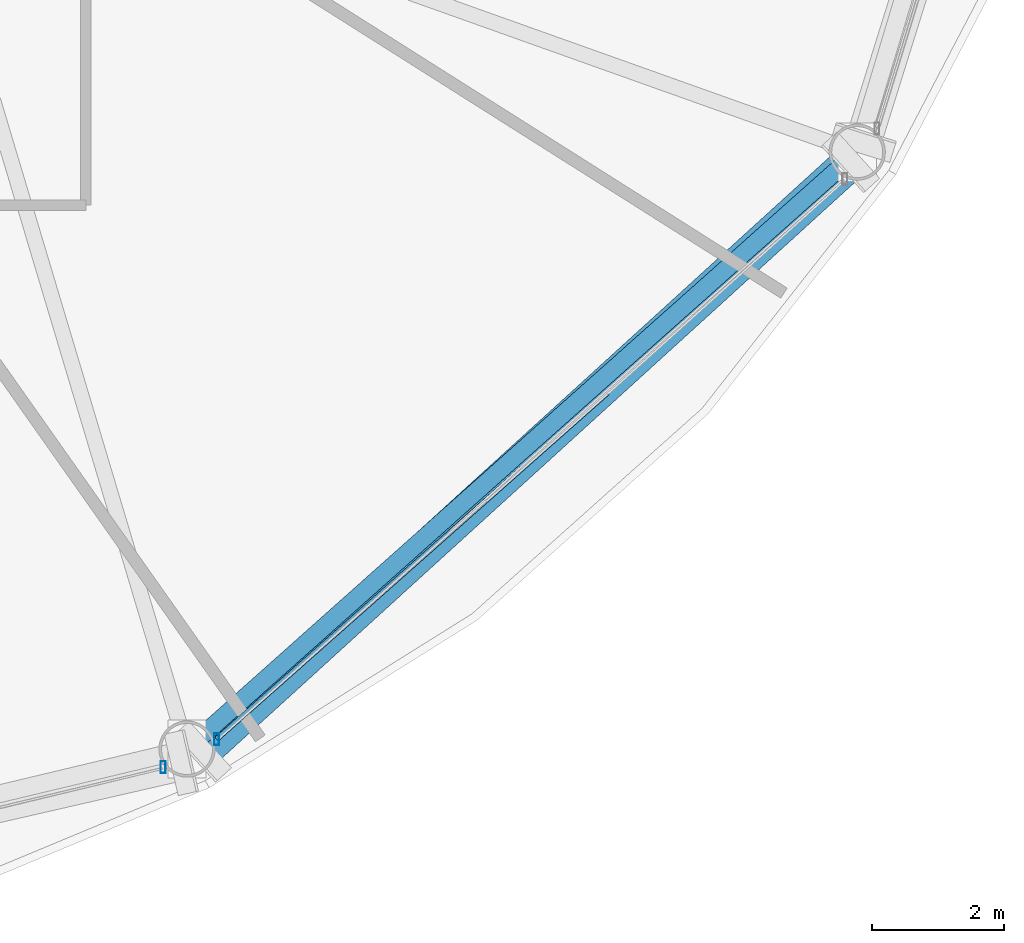
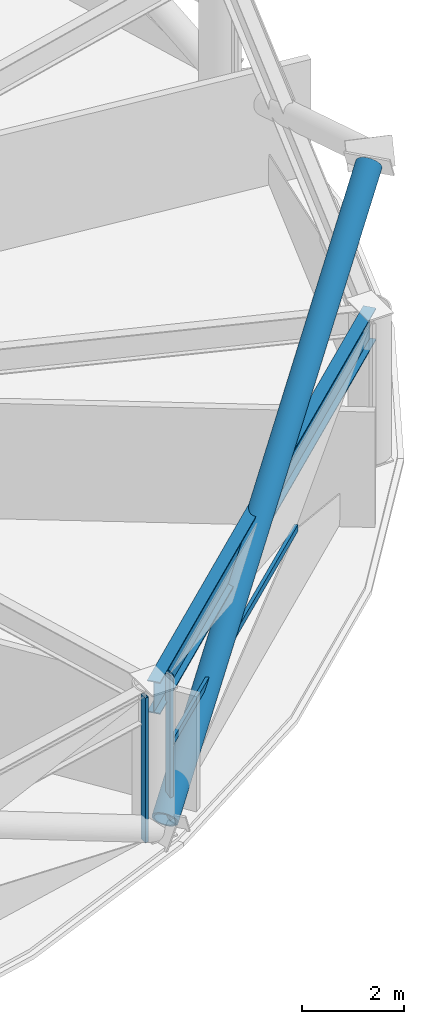
# One storey, part 8 of 33: 4 members, 1 beam, 2 elements without a shape of their own.
"""IFC4 building model written with IfcOpenShell, lengths in metres."""

from ifc_helpers import new_model, si_unit, direction, frame, origin, origin_2d, place, context, subcontext, project, spatial, hollow_rectangle, hollow_circle, i_section, extrude, material, layer, layer_set, material_profile, profile_set, type_object, element, aggregate, save


model = new_model("IFC4")

# Units and contexts
model_context = context("Model", 3, precision=1e-05, world=origin(), true_north=direction((0.0, 1.0)))
body_context = subcontext(model_context, "Body", "Model", "MODEL_VIEW")
ifc_project = project(units=[si_unit("LENGTHUNIT", "METRE"), si_unit("AREAUNIT", "SQUARE_METRE"), si_unit("VOLUMEUNIT", "CUBIC_METRE"), si_unit("PLANEANGLEUNIT", "RADIAN"), si_unit("MASSUNIT", "GRAM", prefix="KILO")], contexts=[model_context])

# Site, building, storey
site_placement = place(None, origin())
site = spatial("IfcSite", under=ifc_project, at=site_placement, CompositionType="ELEMENT")
building_placement = place(site_placement, origin())
building = spatial("IfcBuilding", under=site, at=building_placement, Name="Vantalir Tower", CompositionType="ELEMENT")
storey_placement = place(building_placement, frame((0.0, 0.0, 72.0)))
storey = spatial("IfcBuildingStorey", under=building, at=storey_placement, Name="L17", CompositionType="ELEMENT", Elevation=72.0)

# Beam
ifc_material_1 = material(Name="Steel S460", Category="steel")
ifc_material_profile_1 = material_profile(ifc_material_1, i_section(OverallWidth=0.26806640625, OverallDepth=0.77001953125, WebThickness=0.015625, FlangeThickness=0.025390625, at=origin_2d()), Name="Steel S460")
ifc_profile_set_1 = profile_set([ifc_material_profile_1], Name="Steel S460")
beam_type = type_object("IfcBeamType", Name="BM-RG-762x267", PredefinedType="USERDEFINED", material=ifc_profile_set_1)
beam_placement = place(storey_placement, frame((45.324951171875, 3.6708984375, 3.18505859375), z_axis=(0.746762968032, 0.66509027175, 0.0), x_axis=(-0.66509027175, 0.746762968032, 0.0)))
element("IfcBeam", 1, at=beam_placement, inside=storey, type_object=beam_type, Name="L17 Circumferential Ring Girder 11", ObjectType="GIRDER", PredefinedType="USERDEFINED", context=body_context, shape_type="SweptSolid", body=[
    extrude(i_section(OverallWidth=0.26806640625, OverallDepth=0.77001953125, WebThickness=0.015625, FlangeThickness=0.025390625, at=origin_2d()), origin(), (0.0, 0.0, 1.0), 13.55322265625),
])

# Curtain wall, member
ifc_material_2 = material(Name="Champagne-silver PVDF aluminium and double-silver Low-E glass", Category="aluminium")
ifc_layer = layer(ifc_material_2, 0.18994140625)
ifc_layer_set = layer_set([ifc_layer], Name="Champagne-silver PVDF aluminium and double-silver Low-E glass")
curtain_wall_type = type_object("IfcCurtainWallType", Name="CW-DIAMOND-Z1", PredefinedType="USERDEFINED", material=ifc_layer_set)
curtain_wall_1_placement = place(storey_placement, origin())
curtain_wall_1 = element("IfcCurtainWall", 2, at=curtain_wall_1_placement, inside=storey, type_object=curtain_wall_type, Name="L17 Quilted Pyramid-Diamond Curtain Wall S10", ObjectType="UNITISED CURTAIN WALL", PredefinedType="USERDEFINED")
ifc_material_3 = material(Name="Champagne-silver PVDF aluminium 6063-T6", Category="aluminium")
ifc_material_profile_2 = material_profile(ifc_material_3, hollow_rectangle(XDim=0.074951171875, YDim=0.179931640625, WallThickness=0.00390625, at=origin_2d()), Name="Champagne-silver PVDF aluminium 6063-T6")
ifc_profile_set_2 = profile_set([ifc_material_profile_2], Name="Champagne-silver PVDF aluminium 6063-T6")
member_type_1 = type_object("IfcMemberType", Name="CWM-180x75", PredefinedType="MULLION", material=ifc_profile_set_2)
member_1_placement = place(storey_placement, frame((44.962890625, 3.39697265625, 0.044921875), z_axis=(0.0, 0.0, 1.0), x_axis=(1.0, 0.0, 0.0)))
member_1 = element("IfcMember", 3, at=member_1_placement, type_object=member_type_1, Name="CW-L17-S10 Mullion 2", PredefinedType="MULLION", context=body_context, shape_type="SweptSolid", body=[
    extrude(hollow_rectangle(XDim=0.074951171875, YDim=0.179931640625, WallThickness=0.00390625, at=origin_2d()), origin(), (0.0, 0.0, 1.0), 3.47998046875),
])
aggregate(curtain_wall_1, [member_1])

# Curtain wall, members
curtain_wall_2_placement = place(storey_placement, origin())
curtain_wall_2 = element("IfcCurtainWall", 4, at=curtain_wall_2_placement, inside=storey, type_object=curtain_wall_type, Name="L17 Quilted Pyramid-Diamond Curtain Wall S11", ObjectType="UNITISED CURTAIN WALL", PredefinedType="USERDEFINED")
member_2_placement = place(storey_placement, frame((45.77099609375, 3.819091796875, 0.044921875), z_axis=(0.0, 0.0, 1.0), x_axis=(1.0, 0.0, 0.0)))
member_2 = element("IfcMember", 5, at=member_2_placement, type_object=member_type_1, Name="CW-L17-S11 Mullion 1", PredefinedType="MULLION", context=body_context, shape_type="SweptSolid", body=[
    extrude(hollow_rectangle(XDim=0.074951171875, YDim=0.179931640625, WallThickness=0.00390625, at=origin_2d()), origin(), (0.0, 0.0, 1.0), 3.47998046875),
])
ifc_material_profile_3 = material_profile(ifc_material_3, hollow_rectangle(XDim=0.074951171875, YDim=0.159912109375, WallThickness=0.00390625, at=origin_2d()), Name="Champagne-silver PVDF aluminium 6063-T6")
ifc_profile_set_3 = profile_set([ifc_material_profile_3], Name="Champagne-silver PVDF aluminium 6063-T6")
member_type_2 = type_object("IfcMemberType", Name="CWT-160x75", PredefinedType="USERDEFINED", material=ifc_profile_set_3)
member_3_placement = place(storey_placement, frame((45.77099609375, 3.819091796875, 1.784912109375), z_axis=(0.748443694307, 0.663198338698, 0.0), x_axis=(-0.663198338698, 0.748443694307, 0.0)))
member_3 = element("IfcMember", 6, at=member_3_placement, type_object=member_type_2, Name="CW-L17-S11 Pyramid Fold Ridge Transom", ObjectType="TRANSOM", PredefinedType="USERDEFINED", context=body_context, shape_type="SweptSolid", body=[
    extrude(hollow_rectangle(XDim=0.074951171875, YDim=0.159912109375, WallThickness=0.00390625, at=origin_2d()), origin(), (0.0, 0.0, 1.0), 7.884521484375),
])
aggregate(curtain_wall_2, [member_2, member_3])

# Member
ifc_material_profile_4 = material_profile(ifc_material_1, hollow_circle(Radius=0.27001953125, WallThickness=0.044921875, at=origin_2d()), Name="Steel S460")
ifc_profile_set_4 = profile_set([ifc_material_profile_4], Name="Steel S460")
member_type_3 = type_object("IfcMemberType", Name="MEM-DB-540x45", PredefinedType="BRACE", material=ifc_profile_set_4)
member_4_placement = place(storey_placement, frame((45.56396484375, 3.636962890625, 0.181884765625), z_axis=(0.65453971302, 0.59539140587, 0.465925785824), x_axis=(-0.672892618787, 0.739740173022, 0.0)))
element("IfcMember", 7, at=member_4_placement, inside=storey, type_object=member_type_3, Name="L17 Perimeter S460 Diagrid Brace R31L", PredefinedType="BRACE", context=body_context, shape_type="SweptSolid", body=[
    extrude(hollow_circle(Radius=0.27001953125, WallThickness=0.044921875, at=origin_2d()), origin(), (0.0, 0.0, 1.0), 14.929443359375),
])

save(model, "model.ifc")
